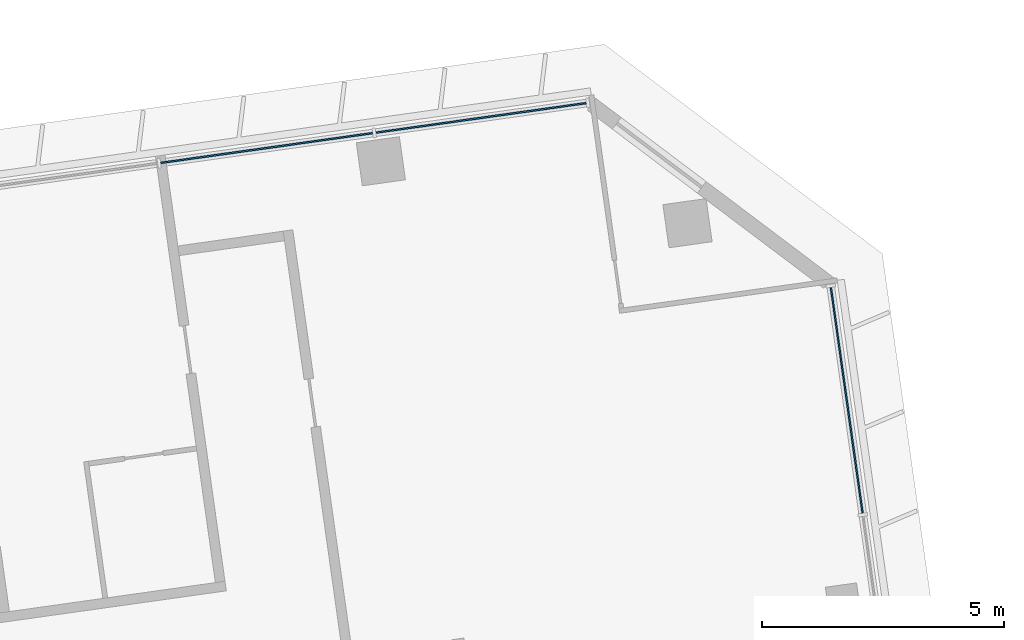
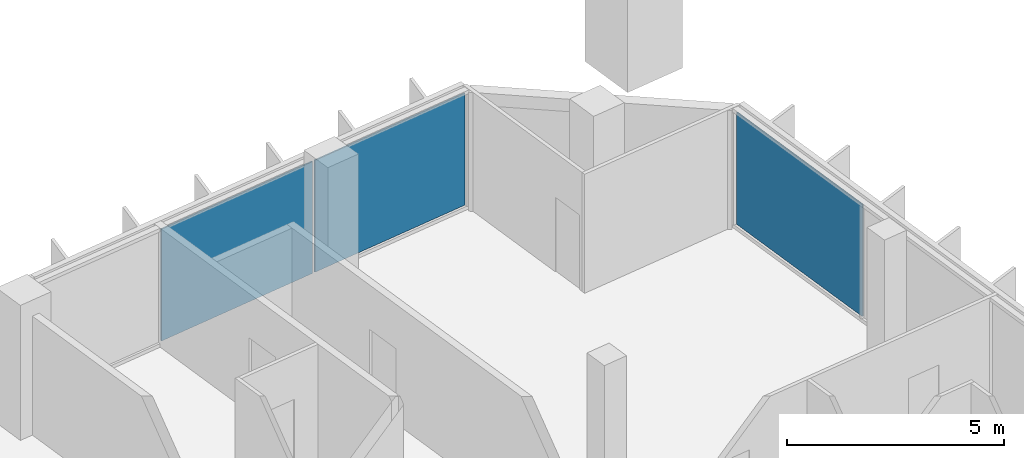
# One storey, part 13 of 25: 3 plates, 2 elements without a shape of their own.
"""IFC4 building model written with IfcOpenShell, lengths in metres."""

from ifc_helpers import new_model, si_unit, direction, frame, origin, origin_2d, place, context, subcontext, project, spatial, rectangle, extrude, material, layer, layer_set, type_object, element, aggregate, save


model = new_model("IFC4")

# Units and contexts
model_context = context("Model", 3, precision=1e-05, world=origin(), true_north=direction((0.0, 1.0)))
body_context = subcontext(model_context, "Body", "Model", "MODEL_VIEW")
ifc_project = project(units=[si_unit("LENGTHUNIT", "METRE"), si_unit("AREAUNIT", "SQUARE_METRE"), si_unit("VOLUMEUNIT", "CUBIC_METRE"), si_unit("PLANEANGLEUNIT", "RADIAN"), si_unit("MASSUNIT", "GRAM", prefix="KILO")], contexts=[model_context])

# Site, building, storey
site_placement = place(None, origin())
site = spatial("IfcSite", under=ifc_project, at=site_placement, CompositionType="ELEMENT")
building_placement = place(site_placement, origin())
building = spatial("IfcBuilding", under=site, at=building_placement, Name="Mirante Cascada Hotel Towers", CompositionType="ELEMENT")
storey_placement = place(building_placement, frame((0.0, 0.0, 136.7)))
storey = spatial("IfcBuildingStorey", under=building, at=storey_placement, Name="L31", CompositionType="ELEMENT", Elevation=136.7)

# Curtain wall, plates
ifc_material_1 = material(Name="Aluminium mullion and transom frame with clear laminated glass", Category="aluminium")
curtain_wall_type_1 = type_object("IfcCurtainWallType", Name="Ribbon curtain wall ECW1", PredefinedType="NOTDEFINED", material=ifc_material_1)
curtain_wall_1_placement = place(storey_placement, origin())
curtain_wall_1 = element("IfcCurtainWall", 1, at=curtain_wall_1_placement, inside=storey, type_object=curtain_wall_type_1, Name="Front ribbon wall T2 L31", PredefinedType="NOTDEFINED")
ifc_material_2 = material(Name="Clear laminated glass", Category="glass")
ifc_layer_1 = layer(ifc_material_2, 0.036)
ifc_layer_set_1 = layer_set([ifc_layer_1], Name="ECW1 glass panel 36")
plate_type_1 = type_object("IfcPlateType", Name="ECW1 glass panel 36", PredefinedType="CURTAIN_PANEL", material=ifc_layer_set_1)
plate_1_placement = place(storey_placement, frame((91.9184, 25.7373, 0.1), z_axis=(0.0, 0.0, 1.0), x_axis=(-0.9902681, -0.1391731, 0.0)))
plate_1 = element("IfcPlate", 2, at=plate_1_placement, type_object=plate_type_1, Name="ECW1 panel 1", PredefinedType="CURTAIN_PANEL", context=body_context, shape_type="SweptSolid", body=[
    extrude(rectangle(XDim=4.3936, YDim=0.036, at=origin_2d()), origin(), (0.0, 0.0, 1.0), 3.15),
])
plate_2_placement = place(storey_placement, frame((87.487, 25.1145, 0.1), z_axis=(0.0, 0.0, 1.0), x_axis=(-0.9902681, -0.1391731, 0.0)))
plate_2 = element("IfcPlate", 3, at=plate_2_placement, type_object=plate_type_1, Name="ECW1 panel 2", PredefinedType="CURTAIN_PANEL", context=body_context, shape_type="SweptSolid", body=[
    extrude(rectangle(XDim=4.4261, YDim=0.036, at=origin_2d()), origin(), (0.0, 0.0, 1.0), 3.15),
])
aggregate(curtain_wall_1, [plate_1, plate_2])

# Curtain wall, plate
ifc_material_3 = material(Name="Aluminium mullion and transom frame with clear laminated glass", Category="aluminium")
curtain_wall_type_2 = type_object("IfcCurtainWallType", Name="End ribbon curtain wall ECW2", PredefinedType="NOTDEFINED", material=ifc_material_3)
curtain_wall_2_placement = place(storey_placement, origin())
curtain_wall_2 = element("IfcCurtainWall", 4, at=curtain_wall_2_placement, inside=storey, type_object=curtain_wall_type_2, Name="Outer end wall T2 L31", PredefinedType="NOTDEFINED")
ifc_material_4 = material(Name="Clear laminated glass", Category="glass")
ifc_layer_2 = layer(ifc_material_4, 0.034)
ifc_layer_set_2 = layer_set([ifc_layer_2], Name="ECW2 glass panel 34")
plate_type_2 = type_object("IfcPlateType", Name="ECW2 glass panel 34", PredefinedType="CURTAIN_PANEL", material=ifc_layer_set_2)
plate_3_placement = place(storey_placement, frame((99.4786, 19.898, 0.1), z_axis=(0.0, 0.0, 1.0), x_axis=(-0.1391731, 0.9902681, 0.0)))
plate_3 = element("IfcPlate", 5, at=plate_3_placement, type_object=plate_type_2, Name="ECW2 panel 6", PredefinedType="CURTAIN_PANEL", context=body_context, shape_type="SweptSolid", body=[
    extrude(rectangle(XDim=4.7151, YDim=0.034, at=origin_2d()), origin(), (0.0, 0.0, 1.0), 3.15),
])
aggregate(curtain_wall_2, [plate_3])

save(model, "model.ifc")
